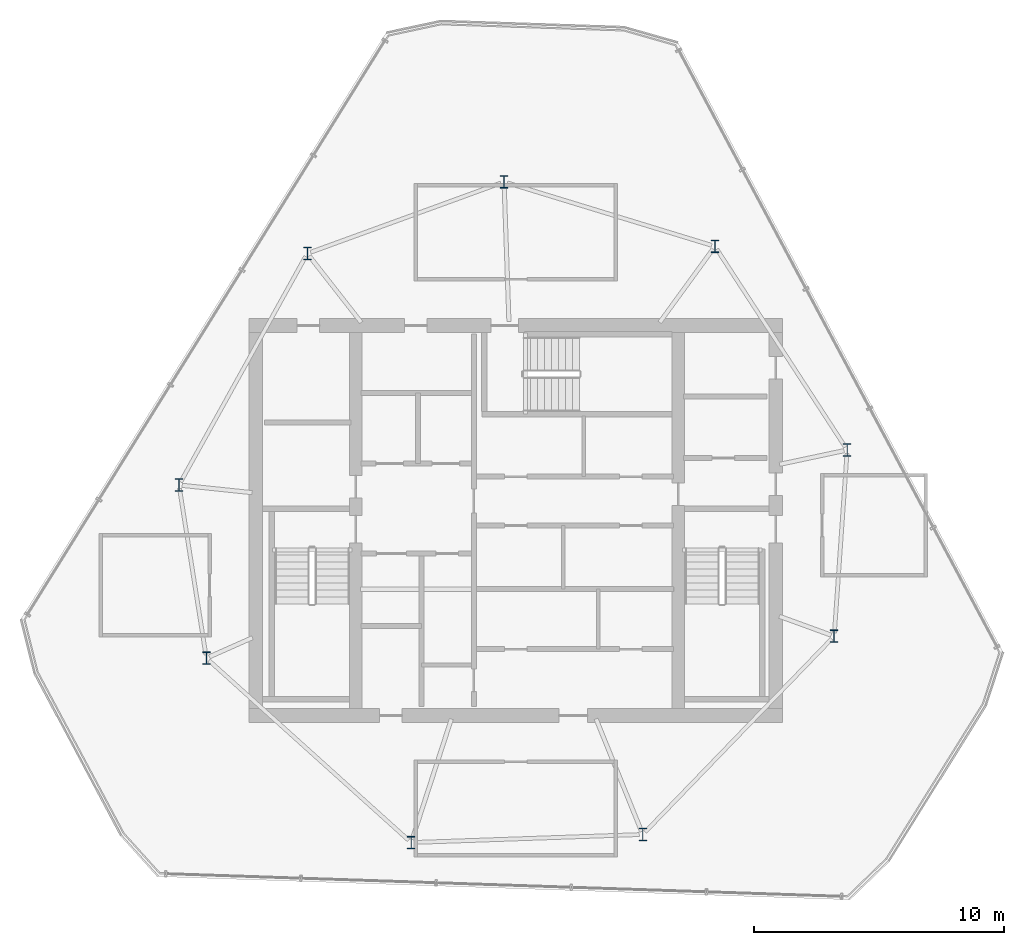
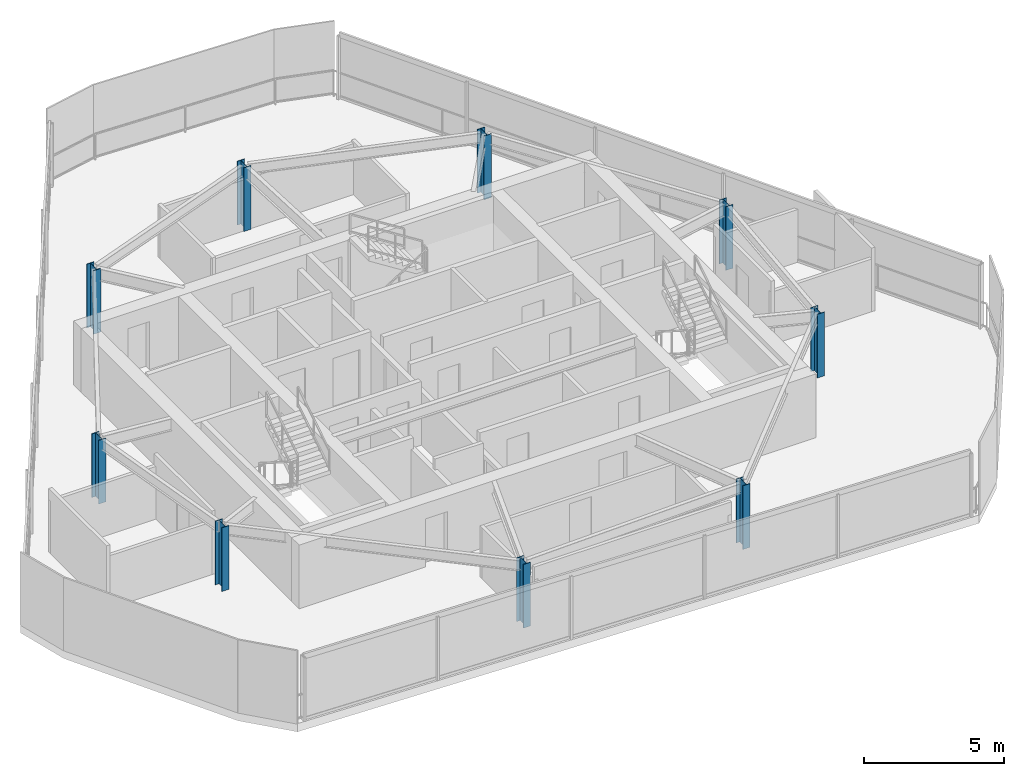
# One storey, part 1 of 16: 9 columns.
"""IFC4 building model written with IfcOpenShell, lengths in metres."""

from ifc_helpers import new_model, si_unit, direction, frame, origin, origin_2d, place, context, subcontext, project, spatial, i_section, extrude, material, material_profile, profile_set, type_object, element, save


model = new_model("IFC4")

# Units and contexts
model_context = context("Model", 3, precision=1e-05, world=origin(), true_north=direction((0.0, 1.0)))
body_context = subcontext(model_context, "Body", "Model", "MODEL_VIEW")
ifc_project = project(units=[si_unit("LENGTHUNIT", "METRE"), si_unit("AREAUNIT", "SQUARE_METRE"), si_unit("VOLUMEUNIT", "CUBIC_METRE"), si_unit("PLANEANGLEUNIT", "RADIAN"), si_unit("MASSUNIT", "GRAM", prefix="KILO")], contexts=[model_context])

# Site, building, storey
site_placement = place(None, origin())
site = spatial("IfcSite", under=ifc_project, at=site_placement, CompositionType="ELEMENT")
building_placement = place(site_placement, origin())
building = spatial("IfcBuilding", under=site, at=building_placement, Name="Qarnah Convention Tower", CompositionType="ELEMENT")
storey_placement = place(building_placement, frame((0.0, 0.0, 286.699951171875)))
storey = spatial("IfcBuildingStorey", under=building, at=storey_placement, Name="L77", CompositionType="ELEMENT", Elevation=286.699951171875)

# Columns
ifc_material = material(Name="Structural steel S355JR", Category="steel")
ifc_material_profile = material_profile(ifc_material, i_section(OverallWidth=0.300048828125, OverallDepth=0.5, WebThickness=0.014892578125, FlangeThickness=0.028076171875, at=origin_2d()), Name="HEB500")
ifc_profile_set = profile_set([ifc_material_profile], Name="Structural steel S355JR")
column_type = type_object("IfcColumnType", Name="COL-CRN-HEB500", PredefinedType="COLUMN", material=ifc_profile_set)
for number, where, z_axis, x_axis, name in (
    (1, (50.4541015625, 29.217041015625, 0.0), (0.0, 0.0, 1.0), (1.0, 0.0, 0.0), "L77 plumb column PC-CROWN-01"),
    (2, (45.1640625, 37.362060546875, 0.0), (0.0, 0.0, 1.0), (1.0, 0.0, 0.0), "L77 plumb column PC-CROWN-02"),
    (3, (36.72705078125, 39.94189453125, 0.0), (0.0, 0.0, 1.0), (1.0, 0.0, 0.0), "L77 plumb column PC-CROWN-03"),
    (4, (28.85791015625, 37.077880859375, 0.0), (0.0, 0.0, 1.0), (1.0, 0.0, 0.0), "L77 plumb column PC-CROWN-04"),
    (5, (23.72412109375, 27.81591796875, 0.0), (0.0, 0.0, 1.0), (1.0, 0.0, 0.0), "L77 plumb column PC-CROWN-05"),
    (6, (24.821044921875, 20.888916015625, 0.0), (0.0, 0.0, 1.0), (1.0, 0.0, 0.0), "L77 plumb column PC-CROWN-06"),
    (7, (33.012939453125, 13.512939453125, 0.0), (0.0, 0.0, 1.0), (1.0, 0.0, 0.0), "L77 plumb column PC-CROWN-07"),
    (8, (42.27587890625, 13.8369140625, 0.0), (0.0, 0.0, 1.0), (1.0, 0.0, 0.0), "L77 plumb column PC-CROWN-08"),
    (9, (49.93310546875, 21.76611328125, 0.0), (0.0, 0.0, 1.0), (1.0, 0.0, 0.0), "L77 plumb column PC-CROWN-09"),
):
    element("IfcColumn", number, at=place(storey_placement, frame(where, z_axis=z_axis, x_axis=x_axis)), inside=storey, type_object=column_type, Name=name, PredefinedType="COLUMN", context=body_context, shape_type="SweptSolid", body=[
        extrude(i_section(OverallWidth=0.300048828125, OverallDepth=0.5, WebThickness=0.014892578125, FlangeThickness=0.028076171875, at=origin_2d()), origin(), (0.0, 0.0, 1.0), 2.780029296875),
    ])

save(model, "model.ifc")
